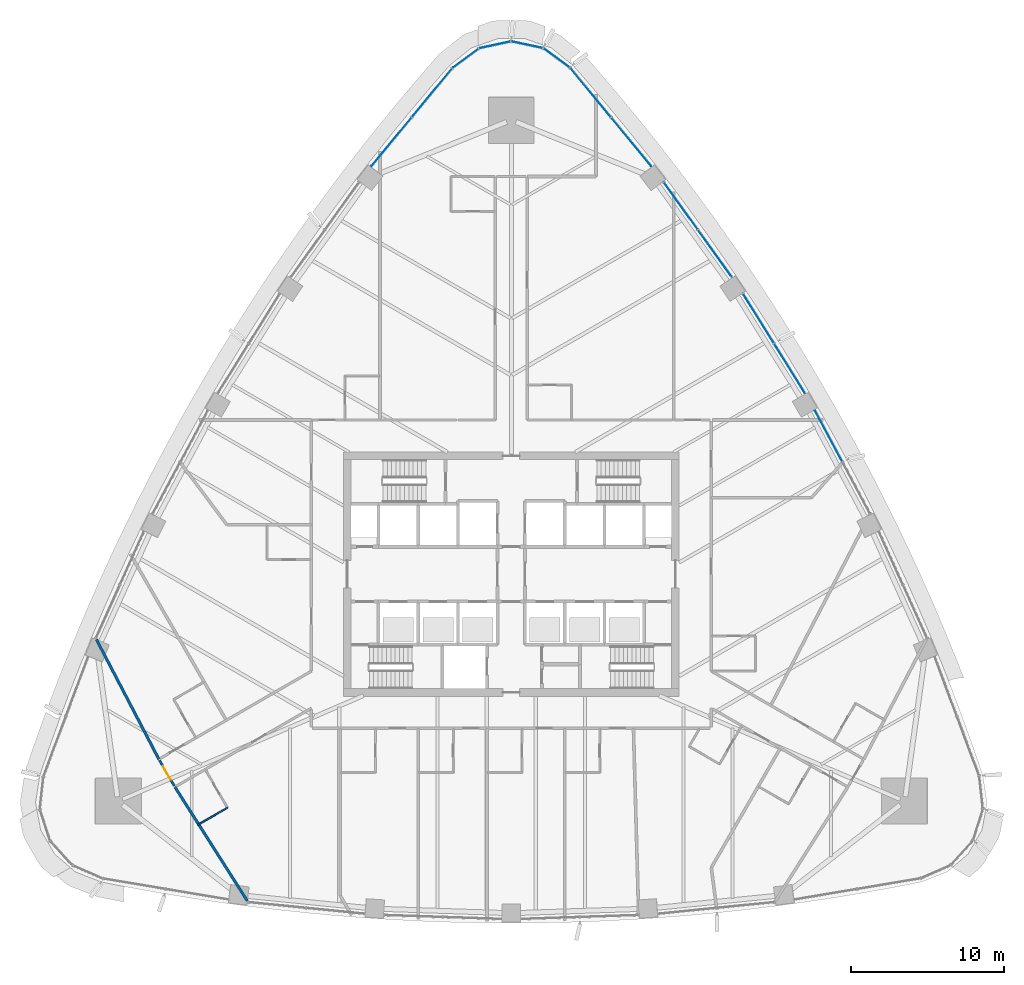
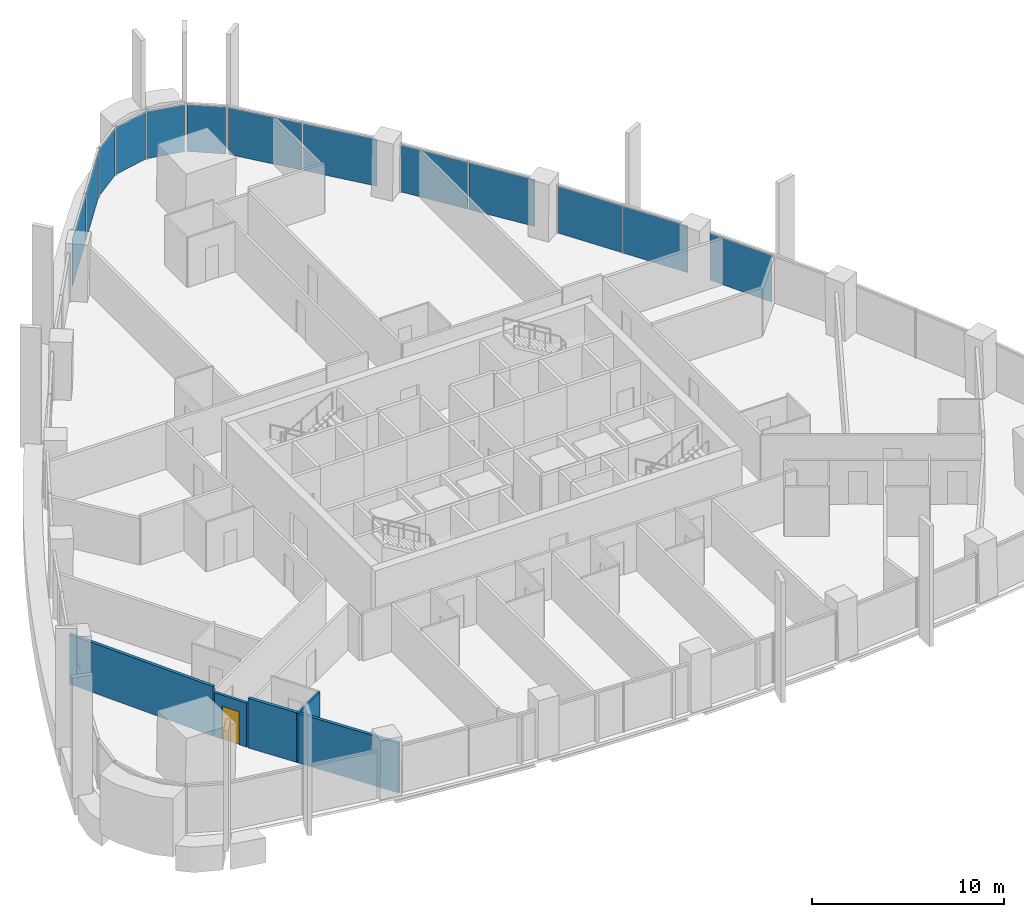
# One storey, part 9 of 22: 13 plates, 4 walls, 1 door, 1 opening, 9 elements without a shape of their own.
"""IFC4 building model written with IfcOpenShell, lengths in metres."""

from ifc_helpers import new_model, si_unit, direction, frame, frame_2d, origin, origin_2d, place, context, subcontext, project, spatial, rectangle, extrude, material, layer, layer_set, type_object, element, fill, aggregate, save


model = new_model("IFC4")

# Units and contexts
model_context = context("Model", 3, precision=1e-05, world=origin(), true_north=direction((0.0, 1.0)))
body_context = subcontext(model_context, "Body", "Model", "MODEL_VIEW")
ifc_project = project(units=[si_unit("LENGTHUNIT", "METRE"), si_unit("AREAUNIT", "SQUARE_METRE"), si_unit("VOLUMEUNIT", "CUBIC_METRE"), si_unit("PLANEANGLEUNIT", "RADIAN"), si_unit("MASSUNIT", "GRAM", prefix="KILO")], contexts=[model_context])

# Site, building, storey
site_placement = place(None, origin())
site = spatial("IfcSite", under=ifc_project, at=site_placement, CompositionType="ELEMENT")
building_placement = place(site_placement, origin())
building = spatial("IfcBuilding", under=site, at=building_placement, Name="Sierra Prisma Convention Tower", CompositionType="ELEMENT")
storey_placement = place(building_placement, frame((0.0, 0.0, 96.10009765625)))
storey = spatial("IfcBuildingStorey", under=building, at=storey_placement, Name="L20", CompositionType="ELEMENT", Elevation=96.10009765625)

# Curtain wall, plate
ifc_material_1 = material(Name="Aluminium and glass curtain wall", Category="aluminium")
ifc_layer_1 = layer(ifc_material_1, 0.179931640625)
ifc_layer_set_1 = layer_set([ifc_layer_1], Name="CW-1 Plain shaft curtain wall")
curtain_wall_type = type_object("IfcCurtainWallType", Name="CW-1 Plain shaft curtain wall", PredefinedType="NOTDEFINED", material=ifc_layer_set_1)
curtain_wall_1_placement = place(storey_placement, origin())
curtain_wall_1 = element("IfcCurtainWall", 1, at=curtain_wall_1_placement, inside=storey, type_object=curtain_wall_type, Name="CW-1 NE3 L20", PredefinedType="NOTDEFINED")
ifc_material_2 = material(Name="Tinted glass bronze-grey IGU", Category="glass")
ifc_layer_2 = layer(ifc_material_2, 0.028076171875)
ifc_layer_set_2 = layer_set([ifc_layer_2], Name="CW-1 glass panel")
plate_type = type_object("IfcPlateType", Name="CW-1 glass panel", PredefinedType="CURTAIN_PANEL", material=ifc_layer_set_2)
plate_1_placement = place(storey_placement, frame((20.787109375, 9.045166015625, 0.0), z_axis=(0.0, 0.0, 1.0), x_axis=(-0.470920569823, 0.882175615689, 0.0)))
plate_1 = element("IfcPlate", 2, at=plate_1_placement, type_object=plate_type, Name="CW-1 panel NE3.2", PredefinedType="CURTAIN_PANEL", context=body_context, shape_type="SweptSolid", body=[
    extrude(rectangle(XDim=3.783203125, YDim=0.028076171875, at=origin_2d()), origin(), (0.0, 0.0, 1.0), 2.97998046875),
])
aggregate(curtain_wall_1, [plate_1])

# Curtain wall, plates
curtain_wall_2_placement = place(storey_placement, origin())
curtain_wall_2 = element("IfcCurtainWall", 3, at=curtain_wall_2_placement, inside=storey, type_object=curtain_wall_type, Name="CW-1 NE4 L20", PredefinedType="NOTDEFINED")
plate_2_placement = place(storey_placement, frame((18.22705078125, 13.4794921875, 0.0), z_axis=(0.0, 0.0, 1.0), x_axis=(-0.528526208875, 0.848916984477, 0.0)))
plate_2 = element("IfcPlate", 4, at=plate_2_placement, type_object=plate_type, Name="CW-1 panel NE4.1", PredefinedType="CURTAIN_PANEL", context=body_context, shape_type="SweptSolid", body=[
    extrude(rectangle(XDim=3.783203125, YDim=0.028076171875, at=origin_2d()), origin(), (0.0, 0.0, 1.0), 2.97998046875),
])
plate_3_placement = place(storey_placement, frame((16.1904296875, 16.750732421875, 0.0), z_axis=(0.0, 0.0, 1.0), x_axis=(-0.528526208875, 0.848916984477, 0.0)))
plate_3 = element("IfcPlate", 5, at=plate_3_placement, type_object=plate_type, Name="CW-1 panel NE4.2", PredefinedType="CURTAIN_PANEL", context=body_context, shape_type="SweptSolid", body=[
    extrude(rectangle(XDim=3.783203125, YDim=0.028076171875, at=origin_2d()), origin(), (0.0, 0.0, 1.0), 2.97998046875),
])
aggregate(curtain_wall_2, [plate_2, plate_3])

curtain_wall_3_placement = place(storey_placement, origin())
curtain_wall_3 = element("IfcCurtainWall", 6, at=curtain_wall_3_placement, inside=storey, type_object=curtain_wall_type, Name="CW-1 NE5 L20", PredefinedType="NOTDEFINED")
plate_4_placement = place(storey_placement, frame((13.339111328125, 21.00927734375, 0.0), z_axis=(0.0, 0.0, 1.0), x_axis=(-0.58379335931, 0.811902280835, 0.0)))
plate_4 = element("IfcPlate", 7, at=plate_4_placement, type_object=plate_type, Name="CW-1 panel NE5.1", PredefinedType="CURTAIN_PANEL", context=body_context, shape_type="SweptSolid", body=[
    extrude(rectangle(XDim=3.767822265625, YDim=0.028076171875, at=origin_2d()), origin(), (0.0, 0.0, 1.0), 2.97998046875),
])
plate_5_placement = place(storey_placement, frame((11.0986328125, 24.125244140625, 0.0), z_axis=(0.0, 0.0, 1.0), x_axis=(-0.58379335931, 0.811902280835, 0.0)))
plate_5 = element("IfcPlate", 8, at=plate_5_placement, type_object=plate_type, Name="CW-1 panel NE5.2", PredefinedType="CURTAIN_PANEL", context=body_context, shape_type="SweptSolid", body=[
    extrude(rectangle(XDim=3.767822265625, YDim=0.028076171875, at=origin_2d()), origin(), (0.0, 0.0, 1.0), 2.97998046875),
])
aggregate(curtain_wall_3, [plate_4, plate_5])

curtain_wall_4_placement = place(storey_placement, origin())
curtain_wall_4 = element("IfcCurtainWall", 9, at=curtain_wall_4_placement, inside=storey, type_object=curtain_wall_type, Name="CW-1 NE6 L20", PredefinedType="NOTDEFINED")
plate_6_placement = place(storey_placement, frame((7.854248046875, 28.327880859375, 0.0), z_axis=(0.0, 0.0, 1.0), x_axis=(-0.636477489041, 0.771295278051, 0.0)))
plate_6 = element("IfcPlate", 10, at=plate_6_placement, type_object=plate_type, Name="CW-1 panel NE6.1", PredefinedType="CURTAIN_PANEL", context=body_context, shape_type="SweptSolid", body=[
    extrude(rectangle(XDim=4.089599609375, YDim=0.028076171875, at=origin_2d()), origin(), (0.0, 0.0, 1.0), 2.97998046875),
])
plate_7_placement = place(storey_placement, frame((5.20703125, 31.5361328125, 0.0), z_axis=(0.0, 0.0, 1.0), x_axis=(-0.636477489041, 0.771295278051, 0.0)))
plate_7 = element("IfcPlate", 11, at=plate_7_placement, type_object=plate_type, Name="CW-1 panel NE6.2", PredefinedType="CURTAIN_PANEL", context=body_context, shape_type="SweptSolid", body=[
    extrude(rectangle(XDim=4.089599609375, YDim=0.028076171875, at=origin_2d()), origin(), (0.0, 0.0, 1.0), 2.97998046875),
])
aggregate(curtain_wall_4, [plate_6, plate_7])

# Curtain wall, plate
curtain_wall_5_placement = place(storey_placement, origin())
curtain_wall_5 = element("IfcCurtainWall", 12, at=curtain_wall_5_placement, inside=storey, type_object=curtain_wall_type, Name="CW-1 N1 L20", PredefinedType="NOTDEFINED")
plate_8_placement = place(storey_placement, frame((2.989501953125, 33.810302734375, 0.0), z_axis=(0.0, 0.0, 1.0), x_axis=(-0.804652286386, 0.593746324632, 0.0)))
plate_8 = element("IfcPlate", 13, at=plate_8_placement, type_object=plate_type, Name="CW-1 panel N1.1", PredefinedType="CURTAIN_PANEL", context=body_context, shape_type="SweptSolid", body=[
    extrude(rectangle(XDim=2.0263671875, YDim=0.028076171875, at=origin_2d()), origin(), (0.0, 0.0, 1.0), 2.97998046875),
])
aggregate(curtain_wall_5, [plate_8])

curtain_wall_6_placement = place(storey_placement, origin())
curtain_wall_6 = element("IfcCurtainWall", 14, at=curtain_wall_6_placement, inside=storey, type_object=curtain_wall_type, Name="CW-1 N2 L20", PredefinedType="NOTDEFINED")
plate_9_placement = place(storey_placement, frame((1.058837890625, 34.68115234375, 0.0), z_axis=(0.0, 0.0, 1.0), x_axis=(-0.977632604852, 0.210319970354, 0.0)))
plate_9 = element("IfcPlate", 15, at=plate_9_placement, type_object=plate_type, Name="CW-1 panel N2.1", PredefinedType="CURTAIN_PANEL", context=body_context, shape_type="SweptSolid", body=[
    extrude(rectangle(XDim=2.0263671875, YDim=0.028076171875, at=origin_2d()), origin(), (0.0, 0.0, 1.0), 2.97998046875),
])
aggregate(curtain_wall_6, [plate_9])

curtain_wall_7_placement = place(storey_placement, origin())
curtain_wall_7 = element("IfcCurtainWall", 16, at=curtain_wall_7_placement, inside=storey, type_object=curtain_wall_type, Name="CW-1 N3 L20", PredefinedType="NOTDEFINED")
plate_10_placement = place(storey_placement, frame((-1.058837890625, 34.68115234375, 0.0), z_axis=(0.0, 0.0, 1.0), x_axis=(-0.977632604852, -0.210319970354, 0.0)))
plate_10 = element("IfcPlate", 17, at=plate_10_placement, type_object=plate_type, Name="CW-1 panel N3.1", PredefinedType="CURTAIN_PANEL", context=body_context, shape_type="SweptSolid", body=[
    extrude(rectangle(XDim=2.0263671875, YDim=0.028076171875, at=origin_2d()), origin(), (0.0, 0.0, 1.0), 2.97998046875),
])
aggregate(curtain_wall_7, [plate_10])

curtain_wall_8_placement = place(storey_placement, origin())
curtain_wall_8 = element("IfcCurtainWall", 18, at=curtain_wall_8_placement, inside=storey, type_object=curtain_wall_type, Name="CW-1 N4 L20", PredefinedType="NOTDEFINED")
plate_11_placement = place(storey_placement, frame((-2.989501953125, 33.810302734375, 0.0), z_axis=(0.0, 0.0, 1.0), x_axis=(-0.804652286386, -0.593746324632, 0.0)))
plate_11 = element("IfcPlate", 19, at=plate_11_placement, type_object=plate_type, Name="CW-1 panel N4.1", PredefinedType="CURTAIN_PANEL", context=body_context, shape_type="SweptSolid", body=[
    extrude(rectangle(XDim=2.0263671875, YDim=0.028076171875, at=origin_2d()), origin(), (0.0, 0.0, 1.0), 2.97998046875),
])
aggregate(curtain_wall_8, [plate_11])

# Curtain wall, plates
curtain_wall_9_placement = place(storey_placement, origin())
curtain_wall_9 = element("IfcCurtainWall", 20, at=curtain_wall_9_placement, inside=storey, type_object=curtain_wall_type, Name="CW-1 NW1 L20", PredefinedType="NOTDEFINED")
plate_12_placement = place(storey_placement, frame((-5.20703125, 31.5361328125, 0.0), z_axis=(0.0, 0.0, 1.0), x_axis=(-0.636477489041, -0.771295278051, 0.0)))
plate_12 = element("IfcPlate", 21, at=plate_12_placement, type_object=plate_type, Name="CW-1 panel NW1.1", PredefinedType="CURTAIN_PANEL", context=body_context, shape_type="SweptSolid", body=[
    extrude(rectangle(XDim=4.089599609375, YDim=0.028076171875, at=origin_2d()), origin(), (0.0, 0.0, 1.0), 2.97998046875),
])
plate_13_placement = place(storey_placement, frame((-7.854248046875, 28.327880859375, 0.0), z_axis=(0.0, 0.0, 1.0), x_axis=(-0.636477489041, -0.771295278051, 0.0)))
plate_13 = element("IfcPlate", 22, at=plate_13_placement, type_object=plate_type, Name="CW-1 panel NW1.2", PredefinedType="CURTAIN_PANEL", context=body_context, shape_type="SweptSolid", body=[
    extrude(rectangle(XDim=4.089599609375, YDim=0.028076171875, at=origin_2d()), origin(), (0.0, 0.0, 1.0), 2.97998046875),
])
aggregate(curtain_wall_9, [plate_12, plate_13])

# Wall
ifc_material_3 = material(Name="Gypsum board partition", Category="gypsum")
ifc_layer_3 = layer(ifc_material_3, 0.10009765625)
ifc_layer_set_3 = layer_set([ifc_layer_3], Name="Bathroom partition 100")
wall_type_1 = type_object("IfcWallType", Name="Bathroom partition 100", PredefinedType="PARTITIONING", material=ifc_layer_set_3)
wall_1_placement = place(storey_placement, frame((-18.600830078125, -15.30029296875, 0.0), z_axis=(0.0, 0.0, 1.0), x_axis=(-0.866044110172, -0.499967598186, 0.0)))
element("IfcWall", 23, at=wall_1_placement, inside=storey, type_object=wall_type_1, Name="Partition L20 bath 4", PredefinedType="PARTITIONING", context=body_context, shape_type="SweptSolid", body=[
    extrude(rectangle(XDim=2.270263671875, YDim=0.10009765625, at=frame_2d((1.13525390625, 0.0))), origin(), (0.0, 0.0, 1.0), 3.14990234375),
])

# Wall, opening, door
ifc_material_4 = material(Name="Gypsum board partition", Category="gypsum")
ifc_layer_4 = layer(ifc_material_4, 0.14990234375)
ifc_layer_set_4 = layer_set([ifc_layer_4], Name="Corridor wall 150 gypsum EI 60")
wall_type_2 = type_object("IfcWallType", Name="Corridor wall 150 gypsum EI 60", PredefinedType="PARTITIONING", material=ifc_layer_set_4)
wall_2_placement = place(storey_placement, frame((-23.052734375, -12.189453125, 0.0), z_axis=(0.0, 0.0, 1.0), x_axis=(0.499969367985, -0.866043088465, 0.0)))
wall_2 = element("IfcWall", 24, at=wall_2_placement, inside=storey, type_object=wall_type_2, Name="Partition L20 corr 1", PredefinedType="PARTITIONING", context=body_context, shape_type="SweptSolid", body=[
    extrude(rectangle(XDim=1.93994140625, YDim=0.14990234375, at=frame_2d((0.969970703125, 0.0))), origin(), (0.0, 0.0, 1.0), 2.796875),
])
opening_placement = place(wall_2_placement, frame((0.469970703125, 0.0, 0.0)))
opening = element("IfcOpeningElement", 25, at=opening_placement, cuts=wall_2, Name="Opening L20-D046", PredefinedType="OPENING", context=body_context, shape_type="SweptSolid", body=[
    extrude(rectangle(XDim=1.0, YDim=2.10009765625, at=frame_2d((0.5, 1.050048828125))), frame((0.0, 0.074951171875, 0.0), z_axis=(0.0, -1.0, 0.0), x_axis=(1.0, 0.0, 0.0)), (0.0, 0.0, 1.0), 0.14990234375),
])
ifc_material_5 = material(Name="Steel fire door leaf", Category="steel")
door_type = type_object("IfcDoorType", Name="Door 1000x2100 FD30S", OperationType="SINGLE_SWING_LEFT", PredefinedType="DOOR", material=ifc_material_5)
door_placement = place(opening_placement, origin())
door = element("IfcDoor", 26, at=door_placement, inside=storey, type_object=door_type, Name="Door L20 14", OperationType="SINGLE_SWING_RIGHT", OverallHeight=2.10009765625, OverallWidth=1.0, PredefinedType="DOOR", context=body_context, shape_type="SweptSolid", body=[
    extrude(rectangle(XDim=1.0, YDim=2.10009765625, at=frame_2d((0.5, 1.050048828125))), frame((0.0, 0.02490234375, 0.0), z_axis=(0.0, -1.0, 0.0), x_axis=(1.0, 0.0, 0.0)), (0.0, 0.0, 1.0), 0.050048828125),
])
fill(opening, door)

# Walls
ifc_material_6 = material(Name="Acoustic gypsum board partition", Category="gypsum")
ifc_layer_5 = layer(ifc_material_6, 0.175048828125)
ifc_layer_set_5 = layer_set([ifc_layer_5], Name="Guest room party wall 175 acoustic EI 60")
wall_type_3 = type_object("IfcWallType", Name="Guest room party wall 175 acoustic EI 60", PredefinedType="PARTITIONING", material=ifc_layer_set_5)
for number, where, z_axis, x_axis, name in (
    (27, (-23.0927734375, -12.1201171875, 0.0), (0.0, 0.0, 1.0), (-0.462573559763, 0.886580905393, 0.0), "Partition L20 hparty 1"),
    (28, (-17.301513671875, -21.396484375, 0.0), (0.0, 0.0, 1.0), (-0.536501835105, 0.843899153293, 0.0), "Partition L20 hparty 3"),
):
    element("IfcWall", number, at=place(storey_placement, frame(where, z_axis=z_axis, x_axis=x_axis)), inside=storey, type_object=wall_type_3, Name=name, PredefinedType="PARTITIONING", context=body_context, shape_type="SweptSolid", body=[
        extrude(rectangle(XDim=8.837158203125, YDim=0.175048828125, at=frame_2d((4.41845703125, 0.0))), origin(), (0.0, 0.0, 1.0), 3.14990234375),
    ])

save(model, "model.ifc")
